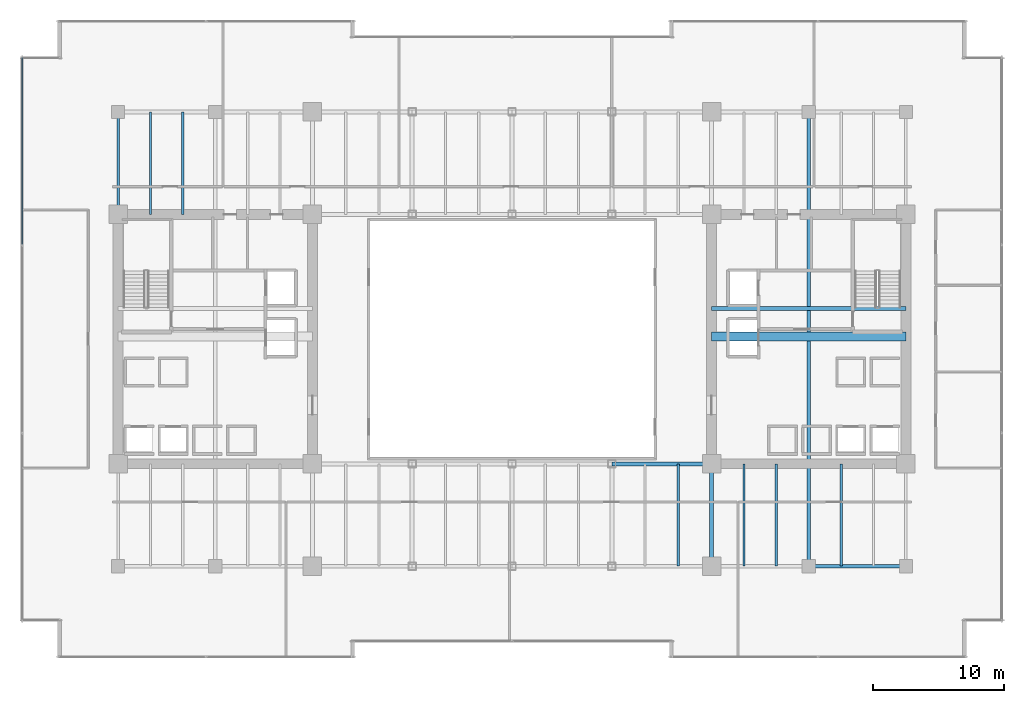
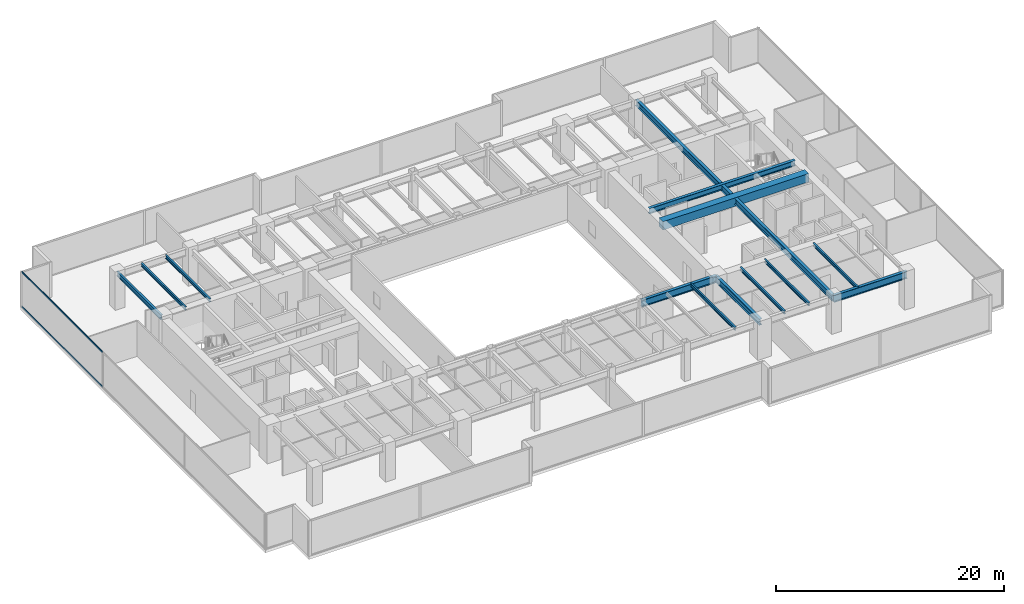
# One storey, part 11 of 35: 13 beams, 2 members, 1 element without a shape of its own.
"""IFC4 building model written with IfcOpenShell, lengths in metres."""

import ifcopenshell
import ifcopenshell.guid

model = None  # the IFC model being written
_history = None  # IfcOwnerHistory: only IFC2X3 demands one
_inside = {}  # id of a spatial element -> (the spatial element, [elements in it])
_under = {}  # id of a project, library or spatial element -> (it, [spatial elements below it])
_declared = {}  # id of a project -> (the project, [libraries it declares])
_typed = {}  # id of a type object -> (the type object, [elements of that type])
_made_of = {}  # id of a material, layer set ... -> (it, [elements and type objects made of it])


def new_model(schema):
    """Start an empty IFC model of exactly this schema.

    Asked for "IFC4X3", IfcOpenShell would pick the latest addendum, in which some entities
    have other attributes; the version numbers below select the first issue.
    IFC2X3 requires an IfcOwnerHistory on every rooted entity: one is made here for all.
    """
    global model, _history
    if schema == "IFC4X3":
        model = ifcopenshell.file(schema_version=(4, 3, 0, 0))
    else:
        model = ifcopenshell.file(schema=schema)
    _inside.clear()
    _under.clear()
    _declared.clear()
    _typed.clear()
    _made_of.clear()
    _history = None
    if model.schema == "IFC2X3":
        org = make("IfcOrganization", Name="unknown")
        user = make(
            "IfcPersonAndOrganization",
            ThePerson=make("IfcPerson", FamilyName="unknown"),
            TheOrganization=org,
        )
        app = make(
            "IfcApplication",
            ApplicationDeveloper=org,
            Version="unknown",
            ApplicationFullName="unknown",
            ApplicationIdentifier="unknown",
        )
        _history = make(
            "IfcOwnerHistory",
            OwningUser=user,
            OwningApplication=app,
            ChangeAction="ADDED",
            CreationDate=0,
        )
    return model


def make(cls, **values):
    """One entity of the class cls with the attributes given. An attribute that is None is left unset."""
    return model.create_entity(
        cls, **{name: value for name, value in values.items() if value is not None}
    )


def rooted(cls, **values):
    """An entity with a GlobalId (a new one), such as an element, a storey or a relation."""
    return make(cls, GlobalId=ifcopenshell.guid.new(), OwnerHistory=_history, **values)


def si_unit(unit_type, name, prefix=None):
    """IfcSIUnit, for example si_unit("LENGTHUNIT", "METRE", prefix="MILLI")."""
    return make("IfcSIUnit", UnitType=unit_type, Prefix=prefix, Name=name)


def assignment(units):
    """IfcUnitAssignment: the units of a project."""
    return None if units is None else make("IfcUnitAssignment", Units=units)


def point(xyz):
    """IfcCartesianPoint."""
    return None if xyz is None else make("IfcCartesianPoint", Coordinates=xyz)


def direction(xyz):
    """IfcDirection."""
    return None if xyz is None else make("IfcDirection", DirectionRatios=xyz)


def frame(location, z_axis=None, x_axis=None):
    """IfcAxis2Placement3D, a coordinate frame: its origin and axes. An axis left out is left unset."""
    return make(
        "IfcAxis2Placement3D",
        Location=point(location),
        Axis=direction(z_axis),
        RefDirection=direction(x_axis),
    )


def frame_2d(location, x_axis=None):
    """IfcAxis2Placement2D, a coordinate frame in the plane: its origin and x axis."""
    return make(
        "IfcAxis2Placement2D", Location=point(location), RefDirection=direction(x_axis)
    )


def origin():
    """The frame at (0, 0, 0) with its axes left unset."""
    return frame((0.0, 0.0, 0.0))


def origin_2d():
    """The frame at (0, 0) in the plane with its x axis left unset."""
    return frame_2d((0.0, 0.0))


def place(relative_to, where):
    """IfcLocalPlacement: puts the frame where relative to a parent placement (None: the world)."""
    return make(
        "IfcLocalPlacement", PlacementRelTo=relative_to, RelativePlacement=where
    )


def context(
    kind, dimensions, precision=None, world=None, true_north=None, identifier=None
):
    """IfcGeometricRepresentationContext, for example the 3D "Model" context."""
    return make(
        "IfcGeometricRepresentationContext",
        ContextIdentifier=identifier,
        ContextType=kind,
        CoordinateSpaceDimension=dimensions,
        Precision=precision,
        WorldCoordinateSystem=world,
        TrueNorth=true_north,
    )


def subcontext(parent, identifier, kind, view, scale=None):
    """IfcGeometricRepresentationSubContext, for example "Body" below "Model"."""
    return make(
        "IfcGeometricRepresentationSubContext",
        ContextIdentifier=identifier,
        ContextType=kind,
        ParentContext=parent,
        TargetScale=scale,
        TargetView=view,
    )


def project(units=None, contexts=None):
    """IfcProject with its units and contexts."""
    return rooted(
        "IfcProject",
        Name="project",
        RepresentationContexts=contexts,
        UnitsInContext=assignment(units),
    )


def spatial(cls, under=None, at=None, **own):
    """A site, building, storey or space (cls), placed at a placement, below another one or the project."""
    s = rooted(cls, ObjectPlacement=at, **own)
    if under is not None:
        _under.setdefault(under.id(), (under, []))[1].append(s)
    return s


def profile(cls, at=None, kind="AREA", **sizes):
    """A parametric profile (cls). Its sizes go by their IFC names, for example OverallWidth=200.0."""
    return make(cls, ProfileType=kind, Position=at, **sizes)


def rectangle(**sizes):
    """IfcRectangleProfileDef."""
    return profile("IfcRectangleProfileDef", **sizes)


def hollow_rectangle(**sizes):
    """IfcRectangleHollowProfileDef."""
    return profile("IfcRectangleHollowProfileDef", **sizes)


def i_section(**sizes):
    """IfcIShapeProfileDef."""
    return profile("IfcIShapeProfileDef", **sizes)


def extrude(swept, where, along, depth):
    """IfcExtrudedAreaSolid: the profile swept, set in the frame where, extruded along a direction by depth."""
    return make(
        "IfcExtrudedAreaSolid",
        SweptArea=swept,
        Position=where,
        ExtrudedDirection=direction(along),
        Depth=depth,
    )


def shape(context_of_items, identifier, shape_type, items):
    """IfcShapeRepresentation: the items that make up one representation, for example the "Body"."""
    return make(
        "IfcShapeRepresentation",
        ContextOfItems=context_of_items,
        RepresentationIdentifier=identifier,
        RepresentationType=shape_type,
        Items=items,
    )


def source(mapping_origin, context_of_items, identifier, shape_type, items):
    """IfcRepresentationMap: a shape defined once, which mapped items show again and again."""
    return make(
        "IfcRepresentationMap",
        MappingOrigin=mapping_origin,
        MappedRepresentation=shape(context_of_items, identifier, shape_type, items),
    )


def transform(
    local_origin,
    x_axis=None,
    y_axis=None,
    z_axis=None,
    scale=None,
    scale2=None,
    scale3=None,
    uniform=True,
):
    """IfcCartesianTransformationOperator3D, or its non-uniform kind. x_axis, y_axis, z_axis: its Axis1, 2, 3."""
    if uniform:
        return make(
            "IfcCartesianTransformationOperator3D",
            Axis1=direction(x_axis),
            Axis2=direction(y_axis),
            LocalOrigin=point(local_origin),
            Scale=scale,
            Axis3=direction(z_axis),
        )
    return make(
        "IfcCartesianTransformationOperator3DnonUniform",
        Axis1=direction(x_axis),
        Axis2=direction(y_axis),
        LocalOrigin=point(local_origin),
        Scale=scale,
        Axis3=direction(z_axis),
        Scale2=scale2,
        Scale3=scale3,
    )


def mapped(mapping_source, mapping_target):
    """IfcMappedItem: shows the shape of a source again, moved by a transform."""
    return make(
        "IfcMappedItem", MappingSource=mapping_source, MappingTarget=mapping_target
    )


def material(Name=None, Category=None):
    """IfcMaterial."""
    return make("IfcMaterial", Name=Name, Category=Category)


def layer(
    of_material, thickness, ventilated=None, Name=None, Category=None, Priority=None
):
    """IfcMaterialLayer: one layer of a wall or slab, of a material (None: an air gap)."""
    return make(
        "IfcMaterialLayer",
        Material=of_material,
        LayerThickness=thickness,
        IsVentilated=ventilated,
        Name=Name,
        Category=Category,
        Priority=Priority,
    )


def layer_set(layers, Name=None):
    """IfcMaterialLayerSet."""
    return make("IfcMaterialLayerSet", MaterialLayers=layers, LayerSetName=Name)


def material_profile(
    of_material, cross_section, Name=None, Category=None, Priority=None
):
    """IfcMaterialProfile: a cross section and its material."""
    return make(
        "IfcMaterialProfile",
        Name=Name,
        Material=of_material,
        Profile=cross_section,
        Priority=Priority,
        Category=Category,
    )


def profile_set(profiles, Name=None, composite=None):
    """IfcMaterialProfileSet."""
    return make(
        "IfcMaterialProfileSet",
        Name=Name,
        MaterialProfiles=profiles,
        CompositeProfile=composite,
    )


def made_of(thing, what):
    """Note that an element or type object is made of a material, layer set ...; save() writes the relation."""
    if what is not None:
        _made_of.setdefault(what.id(), (what, []))[1].append(thing)
    return thing


def type_object(cls, material=None, **own):
    """A type object (cls), such as IfcWallType, which elements share."""
    return made_of(rooted(cls, **own), material)


def type_shapes(of_type, sources):
    """Give a type object the sources (RepresentationMaps) that its elements show as mapped items."""
    of_type.RepresentationMaps = sources


def element(
    cls,
    number,
    at=None,
    inside=None,
    cuts=None,
    type_object=None,
    material=None,
    context=None,
    identifier="Body",
    shape_type=None,
    held_by="IfcProductDefinitionShape",
    body=None,
    shapes=None,
    **own,
):
    """One element of the class cls, such as IfcWall. Its Tag is "e" and its number.

    at: its placement. inside: the storey or other place that contains it. cuts: it is an
    opening in that element (IfcRelVoidsElement). A single representation is given by context,
    identifier, shape_type and body (its items); several are given by shapes. held_by: the class
    of the entity that holds the representations. save() writes the other relations.
    """
    e = rooted(cls, Tag="e%d" % number, ObjectPlacement=at, **own)
    if body is not None:
        shapes = [shape(context, identifier, shape_type, body)]
    if shapes is not None:
        e.Representation = make(held_by, Representations=shapes)
    if inside is not None:
        _inside.setdefault(inside.id(), (inside, []))[1].append(e)
    if cuts is not None:
        rooted(
            "IfcRelVoidsElement", RelatingBuildingElement=cuts, RelatedOpeningElement=e
        )
    if type_object is not None:
        _typed.setdefault(type_object.id(), (type_object, []))[1].append(e)
    return made_of(e, material)


def aggregate(whole, parts):
    """IfcRelAggregates: a whole, such as a stair, and the parts it consists of."""
    return rooted("IfcRelAggregates", RelatingObject=whole, RelatedObjects=parts)


def save(model, path):
    """Write the relations noted so far, then the file.

    IfcRelAggregates (storeys below a building ...), IfcRelContainedInSpatialStructure (elements
    in a storey), IfcRelDefinesByType, IfcRelAssociatesMaterial and IfcRelDeclares: one each for
    every whole, place, type object, material and project.
    """
    for whole, parts in _under.values():
        aggregate(whole, parts)
    for where, things in _inside.values():
        rooted(
            "IfcRelContainedInSpatialStructure",
            RelatedElements=things,
            RelatingStructure=where,
        )
    for kind, things in _typed.values():
        rooted("IfcRelDefinesByType", RelatedObjects=things, RelatingType=kind)
    for what, things in _made_of.values():
        rooted("IfcRelAssociatesMaterial", RelatedObjects=things, RelatingMaterial=what)
    for by, libraries in _declared.values():
        rooted("IfcRelDeclares", RelatingContext=by, RelatedDefinitions=libraries)
    model.write(path)


model = new_model("IFC4")

# Units and contexts
model_context = context("Model", 3, precision=1e-05, world=origin(), true_north=direction((0.0, 1.0)))
body_context = subcontext(model_context, "Body", "Model", "MODEL_VIEW")
ifc_project = project(units=[si_unit("LENGTHUNIT", "METRE"), si_unit("AREAUNIT", "SQUARE_METRE"), si_unit("VOLUMEUNIT", "CUBIC_METRE"), si_unit("PLANEANGLEUNIT", "RADIAN"), si_unit("MASSUNIT", "GRAM", prefix="KILO")], contexts=[model_context])

# Site, building, storey
site_placement = place(None, origin())
site = spatial("IfcSite", under=ifc_project, at=site_placement, CompositionType="ELEMENT")
building_placement = place(site_placement, origin())
building = spatial("IfcBuilding", under=site, at=building_placement, Name="Haelvirn Gate Laboratories", CompositionType="ELEMENT")
storey_placement = place(building_placement, frame((0.0, 0.0, 70.300048828125)))
storey = spatial("IfcBuildingStorey", under=building, at=storey_placement, Name="L17", CompositionType="ELEMENT", Elevation=70.300048828125)

# Beams
ifc_material_1 = material(Name="Concrete C60/75", Category="concrete")
ifc_material_profile_1 = material_profile(ifc_material_1, rectangle(XDim=0.699951171875, YDim=0.89990234375, at=origin_2d()), Name="RCB-700x900")
ifc_profile_set_1 = profile_set([ifc_material_profile_1], Name="Concrete C60/75")
beam_type_1 = type_object("IfcBeamType", Name="BM-RCB-900", PredefinedType="LINTEL", material=ifc_profile_set_1)
shared_shape_1 = source(origin(), body_context, "Body", "SweptSolid", [
    extrude(rectangle(XDim=0.699951171875, YDim=0.89990234375, at=origin_2d()), origin(), (0.0, 0.0, 1.0), 14.7998046875),
])
type_shapes(beam_type_1, [shared_shape_1])
beam_1_placement = place(storey_placement, frame((52.60009765625, 24.5, 3.329833984375), z_axis=(1.0, 0.0, 0.0), x_axis=(0.0, 1.0, 0.0)))
element("IfcBeam", 1, at=beam_1_placement, inside=storey, type_object=beam_type_1, Name="L17 East Core Coupling Beam", PredefinedType="LINTEL", context=body_context, shape_type="MappedRepresentation", body=[
    mapped(shared_shape_1, transform((0.0, 0.0, 0.0), scale=1.0)),
])
ifc_material_2 = material(Name="Steel SM355", Category="steel")
ifc_material_profile_2 = material_profile(ifc_material_2, i_section(OverallWidth=0.300048828125, OverallDepth=0.587890625, WebThickness=0.011962890625, FlangeThickness=0.02001953125, at=origin_2d()), Name="H-588x300x12x20")
ifc_profile_set_2 = profile_set([ifc_material_profile_2], Name="Steel SM355")
beam_type_2 = type_object("IfcBeamType", Name="BM-G-588", PredefinedType="BEAM", material=ifc_profile_set_2)
shared_shape_2 = source(origin(), body_context, "Body", "SweptSolid", [
    extrude(i_section(OverallWidth=0.300048828125, OverallDepth=0.587890625, WebThickness=0.011962890625, FlangeThickness=0.02001953125, at=origin_2d()), origin(), (0.0, 0.0, 1.0), 14.7998046875),
])
type_shapes(beam_type_2, [shared_shape_2])
beam_2_placement = place(storey_placement, frame((52.60009765625, 26.6201171875, 3.48583984375), z_axis=(1.0, 0.0, 0.0), x_axis=(0.0, 1.0, 0.0)))
element("IfcBeam", 2, at=beam_2_placement, inside=storey, type_object=beam_type_2, Name="L17 Stair ST2 Landing Header", PredefinedType="BEAM", context=body_context, shape_type="MappedRepresentation", body=[
    mapped(shared_shape_2, transform((0.0, 0.0, 0.0), scale=1.0)),
])
ifc_material_profile_3 = material_profile(ifc_material_2, i_section(OverallWidth=0.300048828125, OverallDepth=0.75, WebThickness=0.013916015625, FlangeThickness=0.02392578125, at=origin_2d()), Name="H-750x300x14x24")
ifc_profile_set_3 = profile_set([ifc_material_profile_3], Name="Steel SM355")
beam_type_3 = type_object("IfcBeamType", Name="BM-G-750", PredefinedType="BEAM", material=ifc_profile_set_3)
shared_shape_3 = source(origin(), body_context, "Body", "SweptSolid", [
    extrude(i_section(OverallWidth=0.300048828125, OverallDepth=0.75, WebThickness=0.013916015625, FlangeThickness=0.02392578125, at=origin_2d()), origin(), (0.0, 0.0, 1.0), 7.39990234375),
])
beam_3_placement = place(storey_placement, frame((60.0, 7.0, 3.405029296875), z_axis=(1.0, 0.0, 0.0), x_axis=(0.0, 1.0, 0.0)))
element("IfcBeam", 3, at=beam_3_placement, inside=storey, type_object=beam_type_3, Name="L17 Primary Girder Y7.0 (60.0-67.4)", PredefinedType="BEAM", context=body_context, shape_type="MappedRepresentation", body=[
    mapped(shared_shape_3, transform((0.0, 0.0, 0.0), scale=1.0)),
])
shared_shape_4 = source(origin(), body_context, "Body", "SweptSolid", [
    extrude(i_section(OverallWidth=0.300048828125, OverallDepth=0.75, WebThickness=0.013916015625, FlangeThickness=0.02392578125, at=origin_2d()), origin(), (0.0, 0.0, 1.0), 7.60009765625),
])
type_shapes(beam_type_3, [shared_shape_3, shared_shape_4])
beam_4_placement = place(storey_placement, frame((45.0, 14.800048828125, 3.405029296875), z_axis=(1.0, 0.0, 0.0), x_axis=(0.0, 1.0, 0.0)))
element("IfcBeam", 4, at=beam_4_placement, inside=storey, type_object=beam_type_3, Name="L17 Primary Girder Y14.8 (45.0-52.6)", PredefinedType="BEAM", context=body_context, shape_type="MappedRepresentation", body=[
    mapped(shared_shape_4, transform((0.0, 0.0, 0.0), scale=1.0)),
])
ifc_material_profile_4 = material_profile(ifc_material_2, i_section(OverallWidth=0.199951171875, OverallDepth=0.5, WebThickness=0.010009765625, FlangeThickness=0.01611328125, at=origin_2d()), Name="H-500x200x10x16")
ifc_profile_set_4 = profile_set([ifc_material_profile_4], Name="Steel SM355")
beam_type_4 = type_object("IfcBeamType", Name="BM-SP-500", PredefinedType="SPANDREL", material=ifc_profile_set_4)
shared_shape_5 = source(origin(), body_context, "Body", "SweptSolid", [
    extrude(i_section(OverallWidth=0.199951171875, OverallDepth=0.5, WebThickness=0.010009765625, FlangeThickness=0.01611328125, at=origin_2d()), origin(), (0.0, 0.0, 1.0), 7.800048828125),
])
type_shapes(beam_type_4, [shared_shape_5])
beam_5_placement = place(storey_placement, frame((7.39990234375, 33.800048828125, 3.530029296875), z_axis=(0.0, 1.0, 0.0), x_axis=(-1.0, 0.0, 0.0)))
element("IfcBeam", 5, at=beam_5_placement, inside=storey, type_object=beam_type_4, Name="L17 Perimeter Spandrel X7.4 (33.8-41.6)", PredefinedType="SPANDREL", context=body_context, shape_type="MappedRepresentation", body=[
    mapped(shared_shape_5, transform((0.0, 0.0, 0.0), scale=1.0)),
])
ifc_material_profile_5 = material_profile(ifc_material_2, i_section(OverallWidth=0.175048828125, OverallDepth=0.35009765625, WebThickness=0.007080078125, FlangeThickness=0.010986328125, at=origin_2d()), Name="H-350x175x7x11")
ifc_profile_set_5 = profile_set([ifc_material_profile_5], Name="Steel SM355")
beam_type_5 = type_object("IfcBeamType", Name="BM-J-350", PredefinedType="JOIST", material=ifc_profile_set_5)
shared_shape_6 = source(origin(), body_context, "Body", "SweptSolid", [
    extrude(i_section(OverallWidth=0.175048828125, OverallDepth=0.35009765625, WebThickness=0.007080078125, FlangeThickness=0.010986328125, at=origin_2d()), origin(), (0.0, 0.0, 1.0), 7.800048828125),
])
type_shapes(beam_type_5, [shared_shape_6])
for number, where, z_axis, x_axis, name in (
    (6, (9.8701171875, 33.800048828125, 3.60498046875), (0.0, 1.0, 0.0), (-1.0, 0.0, 0.0), "L17 Composite Lab Joist North X9.87"),
    (7, (12.330078125, 33.800048828125, 3.60498046875), (0.0, 1.0, 0.0), (-1.0, 0.0, 0.0), "L17 Composite Lab Joist North X12.33"),
    (8, (50.070068359375, 7.0, 3.60498046875), (0.0, 1.0, 0.0), (-1.0, 0.0, 0.0), "L17 Composite Lab Joist South X50.07"),
    (9, (55.070068359375, 7.0, 3.60498046875), (0.0, 1.0, 0.0), (-1.0, 0.0, 0.0), "L17 Composite Lab Joist South X55.07"),
    (10, (57.530029296875, 7.0, 3.60498046875), (0.0, 1.0, 0.0), (-1.0, 0.0, 0.0), "L17 Composite Lab Joist South X57.53"),
    (11, (62.469970703125, 7.0, 3.60498046875), (0.0, 1.0, 0.0), (-1.0, 0.0, 0.0), "L17 Composite Lab Joist South X62.47"),
):
    element("IfcBeam", number, at=place(storey_placement, frame(where, z_axis=z_axis, x_axis=x_axis)), inside=storey, type_object=beam_type_5, Name=name, PredefinedType="JOIST", context=body_context, shape_type="MappedRepresentation", body=[
        mapped(shared_shape_6, transform((0.0, 0.0, 0.0), scale=1.0)),
    ])
ifc_material_profile_6 = material_profile(ifc_material_2, i_section(OverallWidth=0.300048828125, OverallDepth=0.64990234375, WebThickness=0.012939453125, FlangeThickness=0.02197265625, at=origin_2d()), Name="H-650x300x13x22")
ifc_profile_set_6 = profile_set([ifc_material_profile_6], Name="Steel SM355")
beam_type_6 = type_object("IfcBeamType", Name="BM-G-650", PredefinedType="BEAM", material=ifc_profile_set_6)
shared_shape_7 = source(origin(), body_context, "Body", "SweptSolid", [
    extrude(i_section(OverallWidth=0.300048828125, OverallDepth=0.64990234375, WebThickness=0.012939453125, FlangeThickness=0.02197265625, at=origin_2d()), origin(), (0.0, 0.0, 1.0), 34.60009765625),
])
beam_6_placement = place(storey_placement, frame((60.0, 7.0, 3.454833984375), z_axis=(0.0, 1.0, 0.0), x_axis=(-1.0, 0.0, 0.0)))
element("IfcBeam", 12, at=beam_6_placement, inside=storey, type_object=beam_type_6, Name="L17 Frame Girder X60.0 (7.0-41.6)", PredefinedType="BEAM", context=body_context, shape_type="MappedRepresentation", body=[
    mapped(shared_shape_7, transform((0.0, 0.0, 0.0), scale=1.0)),
])
shared_shape_8 = source(origin(), body_context, "Body", "SweptSolid", [
    extrude(i_section(OverallWidth=0.300048828125, OverallDepth=0.64990234375, WebThickness=0.012939453125, FlangeThickness=0.02197265625, at=origin_2d()), origin(), (0.0, 0.0, 1.0), 7.800048828125),
])
type_shapes(beam_type_6, [shared_shape_7, shared_shape_8])
beam_7_placement = place(storey_placement, frame((52.60009765625, 7.0, 3.454833984375), z_axis=(0.0, 1.0, 0.0), x_axis=(-1.0, 0.0, 0.0)))
element("IfcBeam", 13, at=beam_7_placement, inside=storey, type_object=beam_type_6, Name="L17 Frame Girder X52.6 (7.0-14.8)", PredefinedType="BEAM", context=body_context, shape_type="MappedRepresentation", body=[
    mapped(shared_shape_8, transform((0.0, 0.0, 0.0), scale=1.0)),
])

# Curtain wall, members
ifc_material_3 = material(Name="Anodised bronze unitised aluminium & triple low-E glass", Category="aluminium")
ifc_layer = layer(ifc_material_3, 0.18408203125, Name="CW-SYS-2")
ifc_layer_set = layer_set([ifc_layer], Name="Anodised bronze unitised aluminium & triple low-E glass")
curtain_wall_type = type_object("IfcCurtainWallType", Name="CW-SYS-2", PredefinedType="NOTDEFINED", material=ifc_layer_set)
curtain_wall_placement = place(storey_placement, origin())
curtain_wall = element("IfcCurtainWall", 14, at=curtain_wall_placement, inside=storey, type_object=curtain_wall_type, Name="L17 Unitised Curtain Wall CW-L17-P0-E17", PredefinedType="NOTDEFINED")
ifc_material_4 = material(Name="Extruded aluminium 6063-T6 (anodised bronze)", Category="aluminium")
ifc_material_profile_7 = material_profile(ifc_material_4, hollow_rectangle(XDim=0.070068359375, YDim=0.159912109375, WallThickness=0.0048828125, at=origin_2d()), Name="CWT-160x70x5")
ifc_profile_set_7 = profile_set([ifc_material_profile_7], Name="Extruded aluminium 6063-T6 (anodised bronze)")
member_type = type_object("IfcMemberType", Name="CWT-T160", PredefinedType="USERDEFINED", material=ifc_profile_set_7)
shared_shape_9 = source(origin(), body_context, "Body", "SweptSolid", [
    extrude(hollow_rectangle(XDim=0.070068359375, YDim=0.159912109375, WallThickness=0.0048828125, at=origin_2d()), origin(), (0.0, 0.0, 1.0), 14.220947265625),
])
type_shapes(member_type, [shared_shape_9])
member_1_placement = place(storey_placement, frame((0.10009765625, 45.72509765625, 0.034912109375), z_axis=(0.0, -1.0, 0.0), x_axis=(1.0, 0.0, 0.0)))
member_1 = element("IfcMember", 15, at=member_1_placement, type_object=member_type, Name="CW2 transom 1.1", ObjectType="TRANSOM", PredefinedType="USERDEFINED", context=body_context, shape_type="MappedRepresentation", body=[
    mapped(shared_shape_9, transform((0.0, 0.0, 0.0), scale=1.0)),
])
member_2_placement = place(storey_placement, frame((0.10009765625, 45.72509765625, 3.744873046875), z_axis=(0.0, -1.0, 0.0), x_axis=(1.0, 0.0, 0.0)))
member_2 = element("IfcMember", 16, at=member_2_placement, type_object=member_type, Name="CW2 transom 1.2", ObjectType="TRANSOM", PredefinedType="USERDEFINED", context=body_context, shape_type="MappedRepresentation", body=[
    mapped(shared_shape_9, transform((0.0, 0.0, 0.0), scale=1.0)),
])
aggregate(curtain_wall, [member_1, member_2])

save(model, "model.ifc")
